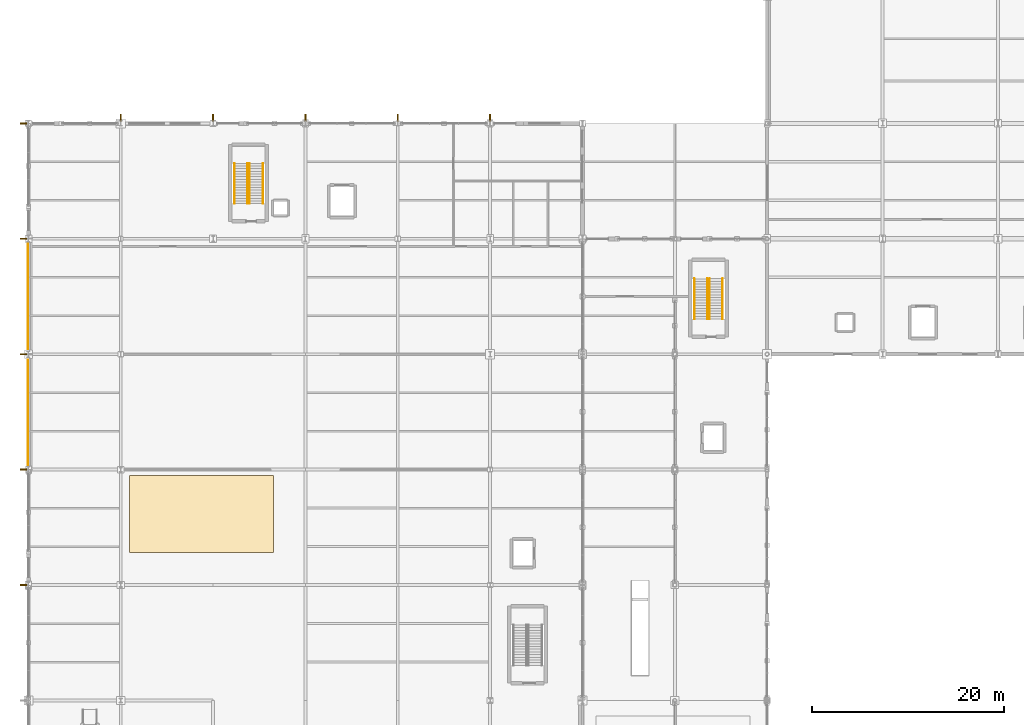
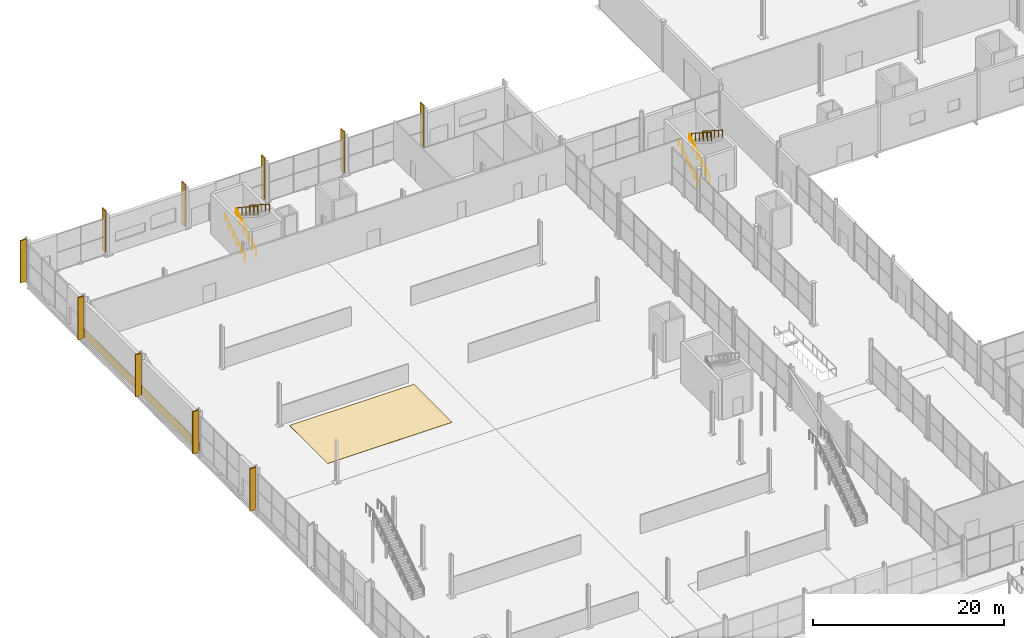
# One storey, part 192 of 196: 13 coverings, 8 railings.
"""IFC4 building model written with IfcOpenShell, lengths in metres."""

from ifc_helpers import new_model, si_unit, direction, frame, origin, origin_2d, place, context, subcontext, project, spatial, polyline, circle, outline, extrude, material, layer, layer_set, type_object, element, save


model = new_model("IFC4")

# Units and contexts
model_context = context("Model", 3, precision=1e-05, world=origin(), true_north=direction((0.0, 1.0)))
body_context = subcontext(model_context, "Body", "Model", "MODEL_VIEW")
ifc_project = project(units=[si_unit("LENGTHUNIT", "METRE"), si_unit("AREAUNIT", "SQUARE_METRE"), si_unit("VOLUMEUNIT", "CUBIC_METRE"), si_unit("PLANEANGLEUNIT", "RADIAN"), si_unit("MASSUNIT", "GRAM", prefix="KILO")], contexts=[model_context])

# Site, building, storey
site_placement = place(None, origin())
site = spatial("IfcSite", under=ifc_project, at=site_placement, CompositionType="ELEMENT")
building_placement = place(site_placement, origin())
building = spatial("IfcBuilding", under=site, at=building_placement, Name="Merenkruunu Market Hall", CompositionType="ELEMENT")
storey_placement = place(building_placement, origin())
storey = spatial("IfcBuildingStorey", under=building, at=storey_placement, Name="L00", CompositionType="ELEMENT", Elevation=0.0)

# Coverings
ifc_material_1 = material(Name="Precast concrete C40/50", Category="concrete")
ifc_layer_1 = layer(ifc_material_1, 0.139892578125)
ifc_layer_set_1 = layer_set([ifc_layer_1], Name="Precast concrete C40/50")
covering_type_1 = type_object("IfcCoveringType", Name="Architectural Precast Sun Fin CLD02", PredefinedType="CLADDING", material=ifc_layer_set_1)
covering_1_placement = place(storey_placement, origin())
element("IfcCovering", 1, at=covering_1_placement, inside=storey, type_object=covering_type_1, Name="FIN-W-L00-013", PredefinedType="CLADDING", context=body_context, shape_type="SweptSolid", body=[
    extrude(outline(polyline([(-0.8701171875, 63.530029296875), (-0.14794921875, 63.530029296875), (-0.14794921875, 63.669921875), (-0.8701171875, 63.669921875), (-0.8701171875, 63.530029296875)])), origin(), (0.0, 0.0, 1.0), 5.39990234375),
])
covering_2_placement = place(storey_placement, origin())
element("IfcCovering", 2, at=covering_2_placement, inside=storey, type_object=covering_type_1, Name="FIN-W-L00-016", PredefinedType="CLADDING", context=body_context, shape_type="SweptSolid", body=[
    extrude(outline(polyline([(-0.8701171875, 75.530029296875), (-0.14794921875, 75.530029296875), (-0.14794921875, 75.669921875), (-0.8701171875, 75.669921875), (-0.8701171875, 75.530029296875)])), origin(), (0.0, 0.0, 1.0), 5.39990234375),
])
covering_3_placement = place(storey_placement, origin())
element("IfcCovering", 3, at=covering_3_placement, inside=storey, type_object=covering_type_1, Name="FIN-W-L00-019", PredefinedType="CLADDING", context=body_context, shape_type="SweptSolid", body=[
    extrude(outline(polyline([(-0.8701171875, 87.530029296875), (-0.14794921875, 87.530029296875), (-0.14794921875, 87.669921875), (-0.8701171875, 87.669921875), (-0.8701171875, 87.530029296875)])), origin(), (0.0, 0.0, 1.0), 5.39990234375),
])
covering_4_placement = place(storey_placement, origin())
element("IfcCovering", 4, at=covering_4_placement, inside=storey, type_object=covering_type_1, Name="FIN-W-L00-022", PredefinedType="CLADDING", context=body_context, shape_type="SweptSolid", body=[
    extrude(outline(polyline([(-0.8701171875, 99.530029296875), (-0.14794921875, 99.530029296875), (-0.14794921875, 99.669921875), (-0.8701171875, 99.669921875), (-0.8701171875, 99.530029296875)])), origin(), (0.0, 0.0, 1.0), 5.39990234375),
])
covering_5_placement = place(storey_placement, origin())
element("IfcCovering", 5, at=covering_5_placement, inside=storey, type_object=covering_type_1, Name="FIN-W-L00-025", PredefinedType="CLADDING", context=body_context, shape_type="SweptSolid", body=[
    extrude(outline(polyline([(-0.8701171875, 111.530029296875), (-0.14794921875, 111.530029296875), (-0.14794921875, 111.669921875), (-0.8701171875, 111.669921875), (-0.8701171875, 111.530029296875)])), origin(), (0.0, 0.0, 1.0), 5.39990234375),
])
covering_6_placement = place(storey_placement, origin())
element("IfcCovering", 6, at=covering_6_placement, inside=storey, type_object=covering_type_1, Name="FIN-N-L00-030", PredefinedType="CLADDING", context=body_context, shape_type="SweptSolid", body=[
    extrude(outline(polyline([(9.530029296875, 111.818115234375), (9.669921875, 111.818115234375), (9.669921875, 112.5400390625), (9.530029296875, 112.5400390625), (9.530029296875, 111.818115234375)])), origin(), (0.0, 0.0, 1.0), 5.39990234375),
])
covering_7_placement = place(storey_placement, origin())
element("IfcCovering", 7, at=covering_7_placement, inside=storey, type_object=covering_type_1, Name="FIN-N-L00-035", PredefinedType="CLADDING", context=body_context, shape_type="SweptSolid", body=[
    extrude(outline(polyline([(19.1298828125, 111.818115234375), (19.27001953125, 111.818115234375), (19.27001953125, 112.5400390625), (19.1298828125, 112.5400390625), (19.1298828125, 111.818115234375)])), origin(), (0.0, 0.0, 1.0), 5.39990234375),
])
covering_8_placement = place(storey_placement, origin())
element("IfcCovering", 8, at=covering_8_placement, inside=storey, type_object=covering_type_1, Name="FIN-N-L00-040", PredefinedType="CLADDING", context=body_context, shape_type="SweptSolid", body=[
    extrude(outline(polyline([(28.72998046875, 111.818115234375), (28.8701171875, 111.818115234375), (28.8701171875, 112.5400390625), (28.72998046875, 112.5400390625), (28.72998046875, 111.818115234375)])), origin(), (0.0, 0.0, 1.0), 5.39990234375),
])
covering_9_placement = place(storey_placement, origin())
element("IfcCovering", 9, at=covering_9_placement, inside=storey, type_object=covering_type_1, Name="FIN-N-L00-045", PredefinedType="CLADDING", context=body_context, shape_type="SweptSolid", body=[
    extrude(outline(polyline([(38.330078125, 111.818115234375), (38.469970703125, 111.818115234375), (38.469970703125, 112.5400390625), (38.330078125, 112.5400390625), (38.330078125, 111.818115234375)])), origin(), (0.0, 0.0, 1.0), 5.39990234375),
])
covering_10_placement = place(storey_placement, origin())
element("IfcCovering", 10, at=covering_10_placement, inside=storey, type_object=covering_type_1, Name="FIN-N-L00-050", PredefinedType="CLADDING", context=body_context, shape_type="SweptSolid", body=[
    extrude(outline(polyline([(47.929931640625, 111.818115234375), (48.070068359375, 111.818115234375), (48.070068359375, 112.5400390625), (47.929931640625, 112.5400390625), (47.929931640625, 111.818115234375)])), origin(), (0.0, 0.0, 1.0), 5.39990234375),
])
ifc_material_2 = material(Name="Epoxy food-grade resin flooring")
ifc_layer_2 = layer(ifc_material_2, 0.02490234375)
ifc_layer_set_2 = layer_set([ifc_layer_2], Name="Epoxy food-grade resin flooring")
covering_type_2 = type_object("IfcCoveringType", Name="Food Grade Resin Flooring FLR02", PredefinedType="FLOORING", material=ifc_layer_set_2)
covering_11_placement = place(storey_placement, origin())
element("IfcCovering", 11, at=covering_11_placement, inside=storey, type_object=covering_type_2, Name="COV-FLR-L00-3", PredefinedType="FLOORING", context=body_context, shape_type="SweptSolid", body=[
    extrude(outline(polyline([(10.5, 67.0), (10.5, 75.0), (25.5, 75.0), (25.5, 67.0), (10.5, 67.0)])), origin(), (0.0, 0.0, 1.0), 0.02490234375),
])

# Railings
ifc_material_3 = material(Name="Brushed stainless steel", Category="steel")
railing_type_1 = type_object("IfcRailingType", Name="Gallery Balustrade Guard GR01", PredefinedType="BALUSTRADE", material=ifc_material_3)
railing_1_placement = place(storey_placement, frame((22.7900390625, 103.25, 0.0)))
element("IfcRailing", 12, at=railing_1_placement, inside=storey, type_object=railing_type_1, Name="RAIL-L00-0005", PredefinedType="BALUSTRADE", context=body_context, shape_type="SweptSolid", body=[
    extrude(circle(Radius=0.02392578125, at=origin_2d()), frame((0.0, 0.0, 1.076171875), z_axis=(0.0, 0.841180064094, 0.540755119968), x_axis=(-1.0, 0.0, 0.0)), (0.0, 0.0, 1.0), 4.992919921875),
    extrude(circle(Radius=0.02099609375, at=origin_2d()), origin(), (0.0, 0.0, 1.0), 1.052001953125),
    extrude(circle(Radius=0.02099609375, at=origin_2d()), frame((0.0, 0.840087890625, 0.5400390625)), (0.0, 0.0, 1.0), 1.052001953125),
    extrude(circle(Radius=0.02099609375, at=origin_2d()), frame((0.0, 1.679931640625, 1.080078125)), (0.0, 0.0, 1.0), 1.052001953125),
    extrude(circle(Radius=0.02099609375, at=origin_2d()), frame((0.0, 2.52001953125, 1.619873046875)), (0.0, 0.0, 1.0), 1.052001953125),
    extrude(circle(Radius=0.02099609375, at=origin_2d()), frame((0.0, 3.35986328125, 2.159912109375)), (0.0, 0.0, 1.0), 1.052001953125),
    extrude(circle(Radius=0.02099609375, at=origin_2d()), frame((0.0, 4.199951171875, 2.699951171875)), (0.0, 0.0, 1.0), 1.052001953125),
])
railing_2_placement = place(storey_placement, frame((23.010009765625, 107.449951171875, 2.699951171875)))
element("IfcRailing", 13, at=railing_2_placement, inside=storey, type_object=railing_type_1, Name="RAIL-L00-0006", PredefinedType="BALUSTRADE", context=body_context, shape_type="SweptSolid", body=[
    extrude(circle(Radius=0.02392578125, at=origin_2d()), frame((0.0, 0.0, 1.076171875), z_axis=(0.0, -0.841180064094, 0.540755119968), x_axis=(1.0, 0.0, 0.0)), (0.0, 0.0, 1.0), 4.992919921875),
    extrude(circle(Radius=0.02099609375, at=origin_2d()), origin(), (0.0, 0.0, 1.0), 1.052001953125),
    extrude(circle(Radius=0.02099609375, at=origin_2d()), frame((0.0, -0.840087890625, 0.5400390625)), (0.0, 0.0, 1.0), 1.052001953125),
    extrude(circle(Radius=0.02099609375, at=origin_2d()), frame((0.0, -1.679931640625, 1.080078125)), (0.0, 0.0, 1.0), 1.052001953125),
    extrude(circle(Radius=0.02099609375, at=origin_2d()), frame((0.0, -2.52001953125, 1.619873046875)), (0.0, 0.0, 1.0), 1.052001953125),
    extrude(circle(Radius=0.02099609375, at=origin_2d()), frame((0.0, -3.35986328125, 2.159912109375)), (0.0, 0.0, 1.0), 1.052001953125),
    extrude(circle(Radius=0.02099609375, at=origin_2d()), frame((0.0, -4.199951171875, 2.699951171875)), (0.0, 0.0, 1.0), 1.052001953125),
])
railing_3_placement = place(storey_placement, frame((70.590087890625, 91.25, 0.0)))
element("IfcRailing", 14, at=railing_3_placement, inside=storey, type_object=railing_type_1, Name="RAIL-L00-0032", PredefinedType="BALUSTRADE", context=body_context, shape_type="SweptSolid", body=[
    extrude(circle(Radius=0.02392578125, at=origin_2d()), frame((0.0, 0.0, 1.076171875), z_axis=(0.0, 0.841180064094, 0.540755119968), x_axis=(-1.0, 0.0, 0.0)), (0.0, 0.0, 1.0), 4.992919921875),
    extrude(circle(Radius=0.02099609375, at=origin_2d()), origin(), (0.0, 0.0, 1.0), 1.052001953125),
    extrude(circle(Radius=0.02099609375, at=origin_2d()), frame((0.0, 0.840087890625, 0.5400390625)), (0.0, 0.0, 1.0), 1.052001953125),
    extrude(circle(Radius=0.02099609375, at=origin_2d()), frame((0.0, 1.679931640625, 1.080078125)), (0.0, 0.0, 1.0), 1.052001953125),
    extrude(circle(Radius=0.02099609375, at=origin_2d()), frame((0.0, 2.52001953125, 1.619873046875)), (0.0, 0.0, 1.0), 1.052001953125),
    extrude(circle(Radius=0.02099609375, at=origin_2d()), frame((0.0, 3.35986328125, 2.159912109375)), (0.0, 0.0, 1.0), 1.052001953125),
    extrude(circle(Radius=0.02099609375, at=origin_2d()), frame((0.0, 4.199951171875, 2.699951171875)), (0.0, 0.0, 1.0), 1.052001953125),
])
railing_4_placement = place(storey_placement, frame((70.81005859375, 95.449951171875, 2.699951171875)))
element("IfcRailing", 15, at=railing_4_placement, inside=storey, type_object=railing_type_1, Name="RAIL-L00-0033", PredefinedType="BALUSTRADE", context=body_context, shape_type="SweptSolid", body=[
    extrude(circle(Radius=0.02392578125, at=origin_2d()), frame((0.0, 0.0, 1.076171875), z_axis=(0.0, -0.841180064094, 0.540755119968), x_axis=(1.0, 0.0, 0.0)), (0.0, 0.0, 1.0), 4.992919921875),
    extrude(circle(Radius=0.02099609375, at=origin_2d()), origin(), (0.0, 0.0, 1.0), 1.052001953125),
    extrude(circle(Radius=0.02099609375, at=origin_2d()), frame((0.0, -0.840087890625, 0.5400390625)), (0.0, 0.0, 1.0), 1.052001953125),
    extrude(circle(Radius=0.02099609375, at=origin_2d()), frame((0.0, -1.679931640625, 1.080078125)), (0.0, 0.0, 1.0), 1.052001953125),
    extrude(circle(Radius=0.02099609375, at=origin_2d()), frame((0.0, -2.52001953125, 1.619873046875)), (0.0, 0.0, 1.0), 1.052001953125),
    extrude(circle(Radius=0.02099609375, at=origin_2d()), frame((0.0, -3.35986328125, 2.159912109375)), (0.0, 0.0, 1.0), 1.052001953125),
    extrude(circle(Radius=0.02099609375, at=origin_2d()), frame((0.0, -4.199951171875, 2.699951171875)), (0.0, 0.0, 1.0), 1.052001953125),
])

# Coverings
ifc_material_4 = material(Name="Kuru grey granite", Category="masonry")
ifc_layer_3 = layer(ifc_material_4, 0.070068359375)
ifc_layer_set_3 = layer_set([ifc_layer_3], Name="Kuru grey granite")
covering_type_3 = type_object("IfcCoveringType", Name="Precast Granite Plinth Cladding CLD01", PredefinedType="CLADDING", material=ifc_layer_set_3)
covering_12_placement = place(storey_placement, origin())
element("IfcCovering", 16, at=covering_12_placement, inside=storey, type_object=covering_type_3, Name="CLD-W1", PredefinedType="CLADDING", context=body_context, shape_type="SweptSolid", body=[
    extrude(outline(polyline([(-0.070068359375, 75.60009765625), (0.0, 75.60009765625), (0.0, 87.60009765625), (-0.070068359375, 87.60009765625), (-0.070068359375, 75.60009765625)])), origin(), (0.0, 0.0, 1.0), 1.14990234375),
])
covering_13_placement = place(storey_placement, origin())
element("IfcCovering", 17, at=covering_13_placement, inside=storey, type_object=covering_type_3, Name="CLD-W2", PredefinedType="CLADDING", context=body_context, shape_type="SweptSolid", body=[
    extrude(outline(polyline([(-0.070068359375, 87.60009765625), (0.0, 87.60009765625), (0.0, 99.60009765625), (-0.070068359375, 99.60009765625), (-0.070068359375, 87.60009765625)])), origin(), (0.0, 0.0, 1.0), 1.14990234375),
])

# Railings
railing_type_2 = type_object("IfcRailingType", Name="Stair Pitch Handrail HR01", PredefinedType="HANDRAIL", material=ifc_material_3)
railing_5_placement = place(storey_placement, frame((21.429931640625, 103.25, 0.0)))
element("IfcRailing", 18, at=railing_5_placement, inside=storey, type_object=railing_type_2, Name="RAIL-L00-0007", PredefinedType="HANDRAIL", context=body_context, shape_type="SweptSolid", body=[
    extrude(circle(Radius=0.02392578125, at=origin_2d()), frame((0.0, 0.0, 0.8759765625), z_axis=(0.0, 0.841180064094, 0.540755119968), x_axis=(-1.0, 0.0, 0.0)), (0.0, 0.0, 1.0), 4.992919921875),
    extrude(circle(Radius=0.02099609375, at=origin_2d()), origin(), (0.0, 0.0, 1.0), 0.851806640625),
    extrude(circle(Radius=0.02099609375, at=origin_2d()), frame((0.0, 0.840087890625, 0.5400390625)), (0.0, 0.0, 1.0), 0.851806640625),
    extrude(circle(Radius=0.02099609375, at=origin_2d()), frame((0.0, 1.679931640625, 1.080078125)), (0.0, 0.0, 1.0), 0.851806640625),
    extrude(circle(Radius=0.02099609375, at=origin_2d()), frame((0.0, 2.52001953125, 1.619873046875)), (0.0, 0.0, 1.0), 0.851806640625),
    extrude(circle(Radius=0.02099609375, at=origin_2d()), frame((0.0, 3.35986328125, 2.159912109375)), (0.0, 0.0, 1.0), 0.851806640625),
    extrude(circle(Radius=0.02099609375, at=origin_2d()), frame((0.0, 4.199951171875, 2.699951171875)), (0.0, 0.0, 1.0), 0.851806640625),
])
railing_6_placement = place(storey_placement, frame((24.3701171875, 107.449951171875, 2.699951171875)))
element("IfcRailing", 19, at=railing_6_placement, inside=storey, type_object=railing_type_2, Name="RAIL-L00-0008", PredefinedType="HANDRAIL", context=body_context, shape_type="SweptSolid", body=[
    extrude(circle(Radius=0.02392578125, at=origin_2d()), frame((0.0, 0.0, 0.8759765625), z_axis=(0.0, -0.841180064094, 0.540755119968), x_axis=(1.0, 0.0, 0.0)), (0.0, 0.0, 1.0), 4.992919921875),
    extrude(circle(Radius=0.02099609375, at=origin_2d()), origin(), (0.0, 0.0, 1.0), 0.851806640625),
    extrude(circle(Radius=0.02099609375, at=origin_2d()), frame((0.0, -0.840087890625, 0.5400390625)), (0.0, 0.0, 1.0), 0.851806640625),
    extrude(circle(Radius=0.02099609375, at=origin_2d()), frame((0.0, -1.679931640625, 1.080078125)), (0.0, 0.0, 1.0), 0.851806640625),
    extrude(circle(Radius=0.02099609375, at=origin_2d()), frame((0.0, -2.52001953125, 1.619873046875)), (0.0, 0.0, 1.0), 0.851806640625),
    extrude(circle(Radius=0.02099609375, at=origin_2d()), frame((0.0, -3.35986328125, 2.159912109375)), (0.0, 0.0, 1.0), 0.851806640625),
    extrude(circle(Radius=0.02099609375, at=origin_2d()), frame((0.0, -4.199951171875, 2.699951171875)), (0.0, 0.0, 1.0), 0.851806640625),
])
railing_7_placement = place(storey_placement, frame((69.22998046875, 91.25, 0.0)))
element("IfcRailing", 20, at=railing_7_placement, inside=storey, type_object=railing_type_2, Name="RAIL-L00-0034", PredefinedType="HANDRAIL", context=body_context, shape_type="SweptSolid", body=[
    extrude(circle(Radius=0.02392578125, at=origin_2d()), frame((0.0, 0.0, 0.8759765625), z_axis=(0.0, 0.841180064094, 0.540755119968), x_axis=(-1.0, 0.0, 0.0)), (0.0, 0.0, 1.0), 4.992919921875),
    extrude(circle(Radius=0.02099609375, at=origin_2d()), origin(), (0.0, 0.0, 1.0), 0.851806640625),
    extrude(circle(Radius=0.02099609375, at=origin_2d()), frame((0.0, 0.840087890625, 0.5400390625)), (0.0, 0.0, 1.0), 0.851806640625),
    extrude(circle(Radius=0.02099609375, at=origin_2d()), frame((0.0, 1.679931640625, 1.080078125)), (0.0, 0.0, 1.0), 0.851806640625),
    extrude(circle(Radius=0.02099609375, at=origin_2d()), frame((0.0, 2.52001953125, 1.619873046875)), (0.0, 0.0, 1.0), 0.851806640625),
    extrude(circle(Radius=0.02099609375, at=origin_2d()), frame((0.0, 3.35986328125, 2.159912109375)), (0.0, 0.0, 1.0), 0.851806640625),
    extrude(circle(Radius=0.02099609375, at=origin_2d()), frame((0.0, 4.199951171875, 2.699951171875)), (0.0, 0.0, 1.0), 0.851806640625),
])
railing_8_placement = place(storey_placement, frame((72.169921875, 95.449951171875, 2.699951171875)))
element("IfcRailing", 21, at=railing_8_placement, inside=storey, type_object=railing_type_2, Name="RAIL-L00-0035", PredefinedType="HANDRAIL", context=body_context, shape_type="SweptSolid", body=[
    extrude(circle(Radius=0.02392578125, at=origin_2d()), frame((0.0, 0.0, 0.8759765625), z_axis=(0.0, -0.841180064094, 0.540755119968), x_axis=(1.0, 0.0, 0.0)), (0.0, 0.0, 1.0), 4.992919921875),
    extrude(circle(Radius=0.02099609375, at=origin_2d()), origin(), (0.0, 0.0, 1.0), 0.851806640625),
    extrude(circle(Radius=0.02099609375, at=origin_2d()), frame((0.0, -0.840087890625, 0.5400390625)), (0.0, 0.0, 1.0), 0.851806640625),
    extrude(circle(Radius=0.02099609375, at=origin_2d()), frame((0.0, -1.679931640625, 1.080078125)), (0.0, 0.0, 1.0), 0.851806640625),
    extrude(circle(Radius=0.02099609375, at=origin_2d()), frame((0.0, -2.52001953125, 1.619873046875)), (0.0, 0.0, 1.0), 0.851806640625),
    extrude(circle(Radius=0.02099609375, at=origin_2d()), frame((0.0, -3.35986328125, 2.159912109375)), (0.0, 0.0, 1.0), 0.851806640625),
    extrude(circle(Radius=0.02099609375, at=origin_2d()), frame((0.0, -4.199951171875, 2.699951171875)), (0.0, 0.0, 1.0), 0.851806640625),
])

save(model, "model.ifc")
